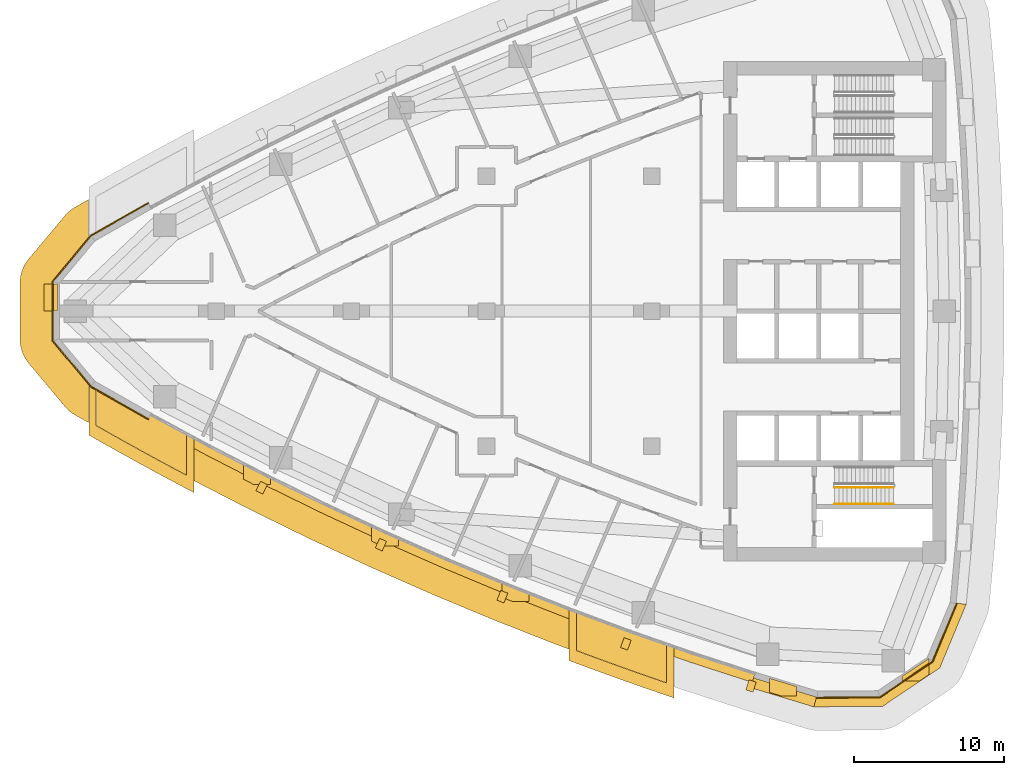
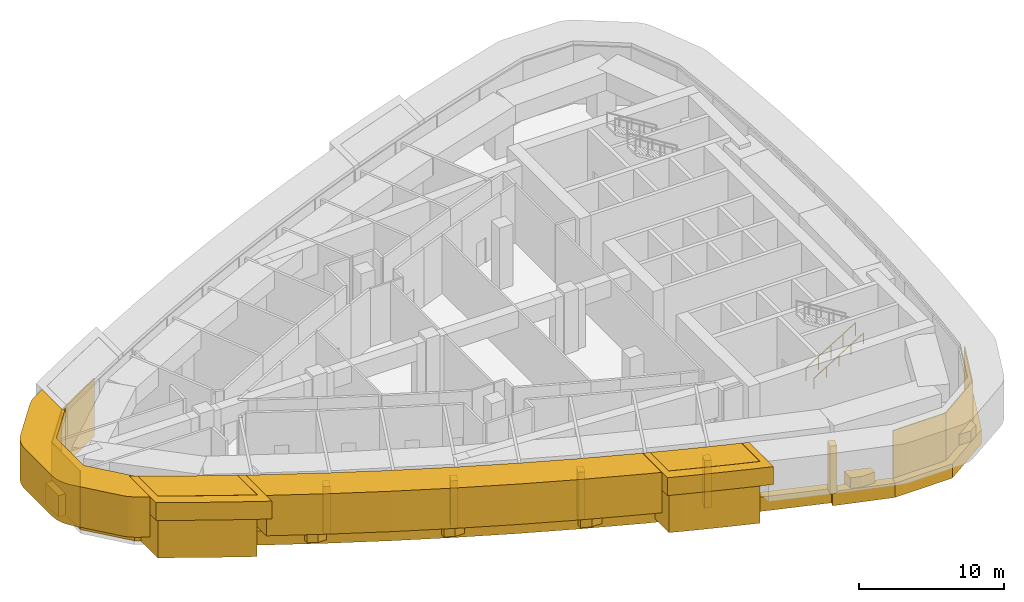
# One storey, part 15 of 18: 28 coverings, 2 railings.
"""IFC4 building model written with IfcOpenShell, lengths in metres."""

from ifc_helpers import new_model, si_unit, direction, frame, frame_2d, origin, origin_2d, place, context, subcontext, project, spatial, polyline, rectangle, circle, outline, extrude, material, layer, layer_set, type_object, element, save


model = new_model("IFC4")

# Units and contexts
model_context = context("Model", 3, precision=1e-05, world=origin(), true_north=direction((0.0, 1.0)))
body_context = subcontext(model_context, "Body", "Model", "MODEL_VIEW")
ifc_project = project(units=[si_unit("LENGTHUNIT", "METRE"), si_unit("AREAUNIT", "SQUARE_METRE"), si_unit("VOLUMEUNIT", "CUBIC_METRE"), si_unit("PLANEANGLEUNIT", "RADIAN"), si_unit("MASSUNIT", "GRAM", prefix="KILO")], contexts=[model_context])

# Site, building, storey
site_placement = place(None, origin())
site = spatial("IfcSite", under=ifc_project, at=site_placement, CompositionType="ELEMENT")
building_placement = place(site_placement, origin())
building = spatial("IfcBuilding", under=site, at=building_placement, Name="Ostrand Prow Hotel Tower", CompositionType="ELEMENT")
storey_placement = place(building_placement, frame((0.0, 0.0, 165.699951171875)))
storey = spatial("IfcBuildingStorey", under=building, at=storey_placement, Name="L41", CompositionType="ELEMENT", Elevation=165.699951171875)

# Coverings
ifc_material_1 = material(Name="Limestone cladding", Category="masonry")
ifc_layer_1 = layer(ifc_material_1, 2.0)
ifc_layer_set_1 = layer_set([ifc_layer_1], Name="Limestone cladding")
covering_type_1 = type_object("IfcCoveringType", Name="Belt lip limestone", PredefinedType="CLADDING", material=ifc_layer_set_1)
covering_1_placement = place(storey_placement, frame((0.0, 0.0, 1.800048828125)))
element("IfcCovering", 1, at=covering_1_placement, inside=storey, type_object=covering_type_1, Name="Belt L41 1", PredefinedType="CLADDING", context=body_context, shape_type="SweptSolid", body=[
    extrude(outline(polyline([(6.58837890625, -6.932861328125), (7.489990234375, -7.443603515625), (7.489990234375, -4.5712890625), (7.489990234375, -4.5703125), (7.490234375, -4.5693359375), (7.490478515625, -4.568359375), (7.49072265625, -4.5673828125), (7.4912109375, -4.56640625), (7.49169921875, -4.565673828125), (7.4921875, -4.56494140625), (7.492919921875, -4.564208984375), (7.493896484375, -4.5634765625), (7.49462890625, -4.56298828125), (7.495361328125, -4.5625), (7.496337890625, -4.56201171875), (7.497314453125, -4.561767578125), (7.498291015625, -4.561279296875), (7.499267578125, -4.561279296875), (7.500244140625, -4.561279296875), (7.501220703125, -4.561279296875), (7.502197265625, -4.5615234375), (7.503173828125, -4.561767578125), (7.504150390625, -4.562255859375), (7.5048828125, -4.5625), (7.80078125, -4.73388671875), (5.41064453125, -1.877685546875), (5.41064453125, 1.877685546875), (7.80078125, 4.73388671875), (7.5048828125, 4.5625), (7.504150390625, 4.562255859375), (7.503173828125, 4.561767578125), (7.502197265625, 4.5615234375), (7.501220703125, 4.561279296875), (7.500244140625, 4.561279296875), (7.499267578125, 4.561279296875), (7.498291015625, 4.561279296875), (7.497314453125, 4.561767578125), (7.496337890625, 4.56201171875), (7.495361328125, 4.5625), (7.49462890625, 4.56298828125), (7.493896484375, 4.5634765625), (7.492919921875, 4.564208984375), (7.4921875, 4.56494140625), (7.49169921875, 4.565673828125), (7.4912109375, 4.56640625), (7.49072265625, 4.5673828125), (7.490478515625, 4.568359375), (7.490234375, 4.5693359375), (7.489990234375, 4.5703125), (7.489990234375, 4.5712890625), (7.489990234375, 7.443603515625), (6.58837890625, 6.932861328125), (6.398681640625, 6.813720703125), (6.220458984375, 6.67822265625), (6.054931640625, 6.52734375), (5.903564453125, 6.3623046875), (3.493408203125, 3.482177734375), (3.343505859375, 3.28369140625), (3.214111328125, 3.0712890625), (3.106201171875, 2.84716796875), (3.021240234375, 2.61328125), (2.9599609375, 2.372314453125), (2.923095703125, 2.126220703125), (2.91064453125, 1.877685546875), (2.91064453125, -1.877685546875), (2.923095703125, -2.126220703125), (2.9599609375, -2.372314453125), (3.021240234375, -2.61328125), (3.106201171875, -2.84716796875), (3.214111328125, -3.0712890625), (3.343505859375, -3.28369140625), (3.493408203125, -3.482177734375), (5.903564453125, -6.3623046875), (6.054931640625, -6.52734375), (6.220458984375, -6.67822265625), (6.398681640625, -6.813720703125), (6.58837890625, -6.932861328125)])), origin(), (0.0, 0.0, 1.0), 3.39990234375),
])
covering_2_placement = place(storey_placement, frame((0.0, 0.0, 1.800048828125)))
element("IfcCovering", 2, at=covering_2_placement, inside=storey, type_object=covering_type_1, Name="Belt L41 2", PredefinedType="CLADDING", context=body_context, shape_type="SweptSolid", body=[
    extrude(outline(polyline([(38.589599609375, -22.196533203125), (39.489990234375, -22.530029296875), (39.489990234375, -19.8681640625), (39.489990234375, -19.8671875), (39.490234375, -19.8662109375), (39.490478515625, -19.865478515625), (39.49072265625, -19.864501953125), (39.49072265625, -19.864501953125), (39.457763671875, -19.85205078125), (35.376220703125, -18.24609375), (31.327392578125, -16.55859375), (27.3134765625, -14.7900390625), (23.335693359375, -12.941162109375), (19.396240234375, -11.0126953125), (15.49609375, -9.00537109375), (14.5087890625, -8.4716796875), (14.5087890625, -8.471923828125), (14.50927734375, -8.472900390625), (14.509521484375, -8.473876953125), (14.509765625, -8.474609375), (14.510009765625, -8.4755859375), (14.510009765625, -8.476806640625), (14.510009765625, -11.3095703125), (18.252197265625, -13.235595703125), (18.297119140625, -13.258056640625), (22.23681640625, -15.1865234375), (22.281982421875, -15.2080078125), (26.259521484375, -17.05712890625), (26.305419921875, -17.077880859375), (30.3193359375, -18.846435546875), (30.365478515625, -18.8662109375), (34.414306640625, -20.5537109375), (34.460693359375, -20.57275390625), (38.54248046875, -22.1787109375), (38.589599609375, -22.196533203125)])), origin(), (0.0, 0.0, 1.0), 3.39990234375),
])
covering_3_placement = place(storey_placement, origin())
element("IfcCovering", 3, at=covering_3_placement, inside=storey, type_object=covering_type_1, Name="Belt fin 1 L41", PredefinedType="CLADDING", context=body_context, shape_type="SweptSolid", body=[
    extrude(outline(polyline([(4.510498046875, 1.8046875), (4.510498046875, 0.004638671875), (5.41064453125, 0.004638671875), (5.41064453125, 1.8046875), (4.510498046875, 1.8046875)])), origin(), (0.0, 0.0, 1.0), 1.800048828125),
])
covering_4_placement = place(storey_placement, origin())
element("IfcCovering", 4, at=covering_4_placement, inside=storey, type_object=covering_type_1, Name="Belt fin 3 L41", PredefinedType="CLADDING", context=body_context, shape_type="SweptSolid", body=[
    extrude(outline(polyline([(17.7998046875, -11.203369140625), (18.48193359375, -11.55419921875), (19.599853515625, -11.55419921875), (19.599853515625, -11.1123046875), (19.396240234375, -11.0126953125), (17.7998046875, -10.191162109375), (17.7998046875, -11.203369140625)])), origin(), (0.0, 0.0, 1.0), 1.800048828125),
])
covering_5_placement = place(storey_placement, origin())
element("IfcCovering", 5, at=covering_5_placement, inside=storey, type_object=covering_type_1, Name="Belt fin 4 L41", PredefinedType="CLADDING", context=body_context, shape_type="SweptSolid", body=[
    extrude(outline(polyline([(26.950439453125, -15.613525390625), (27.029296875, -15.6484375), (28.123779296875, -15.6484375), (28.123779296875, -15.147216796875), (27.3134765625, -14.7900390625), (26.323974609375, -14.330078125), (26.323974609375, -15.322509765625), (26.93408203125, -15.606201171875), (26.950439453125, -15.613525390625)])), origin(), (0.0, 0.0, 1.0), 1.800048828125),
])
covering_6_placement = place(storey_placement, origin())
element("IfcCovering", 6, at=covering_6_placement, inside=storey, type_object=covering_type_1, Name="Belt fin 5 L41", PredefinedType="CLADDING", context=body_context, shape_type="SweptSolid", body=[
    extrude(outline(polyline([(35.04638671875, -19.083740234375), (35.750244140625, -19.360595703125), (36.82080078125, -19.360595703125), (36.82080078125, -18.814697265625), (35.376220703125, -18.24609375), (35.02099609375, -18.09814453125), (35.02099609375, -19.0732421875), (35.02978515625, -19.076904296875), (35.04638671875, -19.083740234375)])), origin(), (0.0, 0.0, 1.0), 1.800048828125),
])
covering_7_placement = place(storey_placement, origin())
element("IfcCovering", 7, at=covering_7_placement, inside=storey, type_object=covering_type_1, Name="Belt fin 7 L41", PredefinedType="CLADDING", context=body_context, shape_type="SweptSolid", body=[
    extrude(outline(polyline([(52.855224609375, -25.407958984375), (53.62158203125, -25.640380859375), (54.6552734375, -25.640380859375), (54.6552734375, -25.013427734375), (52.855224609375, -24.467529296875), (52.855224609375, -25.407958984375)])), origin(), (0.0, 0.0, 1.0), 1.800048828125),
])
covering_8_placement = place(storey_placement, origin())
element("IfcCovering", 8, at=covering_8_placement, inside=storey, type_object=covering_type_1, Name="Belt fin 8 L41", PredefinedType="CLADDING", context=body_context, shape_type="SweptSolid", body=[
    extrude(outline(polyline([(62.872314453125, -24.64453125), (63.497802734375, -24.223876953125), (63.497802734375, -23.07763671875), (63.46240234375, -23.16259765625), (61.69775390625, -24.350341796875), (61.69775390625, -24.64453125), (62.872314453125, -24.64453125)])), origin(), (0.0, 0.0, 1.0), 1.800048828125),
])
ifc_material_2 = material(Name="Bronze anodised aluminium cladding", Category="aluminium")
ifc_layer_2 = layer(ifc_material_2, 0.60009765625)
ifc_layer_set_2 = layer_set([ifc_layer_2], Name="Bronze anodised aluminium cladding")
covering_type_2 = type_object("IfcCoveringType", Name="Bronze spandrel band 1200x600", PredefinedType="CLADDING", material=ifc_layer_set_2)
covering_9_placement = place(storey_placement, frame((0.0, 0.0, -0.300048828125)))
element("IfcCovering", 9, at=covering_9_placement, inside=storey, type_object=covering_type_2, Name="Spandrel band S1", PredefinedType="CLADDING", context=body_context, shape_type="SweptSolid", body=[
    extrude(outline(polyline([(11.3466796875, -7.445068359375), (15.21630859375, -9.535888671875), (19.126953125, -11.548828125), (23.077392578125, -13.482666015625), (27.06591796875, -15.336669921875), (31.091064453125, -17.110107421875), (35.15087890625, -18.80224609375), (39.243896484375, -20.41259765625), (43.368408203125, -21.9404296875), (47.522705078125, -23.385009765625), (51.705322265625, -24.74560546875), (51.88525390625, -24.17333984375), (47.714111328125, -22.81640625), (43.571044921875, -21.375732421875), (39.457763671875, -19.85205078125), (35.376220703125, -18.24609375), (31.327392578125, -16.55859375), (27.3134765625, -14.7900390625), (23.335693359375, -12.941162109375), (19.396240234375, -11.0126953125), (15.49609375, -9.00537109375), (11.63720703125, -6.920166015625), (11.3466796875, -7.445068359375)])), origin(), (0.0, 0.0, 1.0), 1.2001953125),
])
covering_10_placement = place(storey_placement, frame((0.0, 0.0, -0.300048828125)))
element("IfcCovering", 10, at=covering_10_placement, inside=storey, type_object=covering_type_2, Name="Spandrel band back 1", PredefinedType="CLADDING", context=body_context, shape_type="SweptSolid", body=[
    extrude(outline(polyline([(51.594970703125, -25.0966796875), (55.811279296875, -26.375244140625), (56.001953125, -25.722412109375), (51.798828125, -24.447998046875), (51.594970703125, -25.0966796875)])), origin(), (0.0, 0.0, 1.0), 1.2001953125),
])
covering_11_placement = place(storey_placement, frame((0.0, 0.0, -0.300048828125)))
element("IfcCovering", 11, at=covering_11_placement, inside=storey, type_object=covering_type_2, Name="Spandrel band back 2", PredefinedType="CLADDING", context=body_context, shape_type="SweptSolid", body=[
    extrude(outline(polyline([(55.811279296875, -26.375244140625), (60.402099609375, -26.339111328125), (64.211181640625, -23.77587890625), (65.973388671875, -19.53662109375), (65.37646484375, -19.4755859375), (63.746826171875, -23.395751953125), (60.224853515625, -25.76611328125), (55.9794921875, -25.79931640625), (55.811279296875, -26.375244140625)])), origin(), (0.0, 0.0, 1.0), 1.2001953125),
])
ifc_material_3 = material(Name="Limestone cladding", Category="masonry")
ifc_layer_3 = layer(ifc_material_3, 5.0)
ifc_layer_set_3 = layer_set([ifc_layer_3], Name="Limestone cladding")
covering_type_3 = type_object("IfcCoveringType", Name="Portal jamb pilaster limestone", PredefinedType="CLADDING", material=ifc_layer_set_3)
covering_12_placement = place(storey_placement, origin())
element("IfcCovering", 12, at=covering_12_placement, inside=storey, type_object=covering_type_3, Name="Portal jamb SA L41", PredefinedType="CLADDING", context=body_context, shape_type="SweptSolid", body=[
    extrude(outline(polyline([(8.0, -4.861572265625), (8.0, -7.62939453125), (9.0, -8.1962890625), (10.0, -8.75634765625), (11.0, -9.3095703125), (12.0, -9.856201171875), (13.0, -10.39599609375), (14.0, -10.92919921875), (14.0, -8.208740234375), (13.0, -7.66796875), (12.0, -7.12060546875), (11.0, -6.566162109375), (10.0, -6.0048828125), (9.0, -5.436767578125), (8.0, -4.861572265625)])), origin(), (0.0, 0.0, 1.0), 5.199951171875),
])
covering_13_placement = place(storey_placement, origin())
element("IfcCovering", 13, at=covering_13_placement, inside=storey, type_object=covering_type_3, Name="Portal jamb SB L41", PredefinedType="CLADDING", context=body_context, shape_type="SweptSolid", body=[
    extrude(outline(polyline([(40.0, -20.058349609375), (40.0, -22.622802734375), (41.0, -22.994140625), (42.0, -23.360107421875), (43.0, -23.720458984375), (44.0, -24.075439453125), (45.0, -24.425048828125), (46.0, -24.769287109375), (46.0, -22.231689453125), (45.0, -21.883056640625), (44.0, -21.529296875), (43.0, -21.169921875), (42.0, -20.804931640625), (41.0, -20.434326171875), (40.0, -20.058349609375)])), origin(), (0.0, 0.0, 1.0), 5.199951171875),
])
ifc_material_4 = material(Name="Limestone cladding", Category="masonry")
ifc_layer_4 = layer(ifc_material_4, 4.0)
ifc_layer_set_4 = layer_set([ifc_layer_4], Name="Limestone cladding")
covering_type_4 = type_object("IfcCoveringType", Name="Portal lintel limestone", PredefinedType="CLADDING", material=ifc_layer_set_4)
covering_14_placement = place(storey_placement, frame((0.0, 0.0, 3.699951171875)))
element("IfcCovering", 14, at=covering_14_placement, inside=storey, type_object=covering_type_4, Name="Portal jamb cap SA L41", PredefinedType="CLADDING", context=body_context, shape_type="SweptSolid", body=[
    extrude(outline(polyline([(7.99169921875, -4.85595703125), (7.5, -4.5712890625), (7.5, -8.26513671875), (8.5, -8.832763671875), (9.5, -9.3935546875), (10.5, -9.947509765625), (11.5, -10.494873046875), (12.5, -11.035400390625), (13.5, -11.569580078125), (14.5, -12.096923828125), (14.5, -8.476806640625), (14.010009765625, -8.21337890625), (14.010009765625, -10.92919921875), (14.010009765625, -10.93017578125), (14.009765625, -10.93115234375), (14.009521484375, -10.931884765625), (14.00927734375, -10.93310546875), (14.0087890625, -10.933837890625), (14.00830078125, -10.934814453125), (14.0078125, -10.935546875), (14.007080078125, -10.936279296875), (14.00634765625, -10.93701171875), (14.005615234375, -10.9375), (14.004638671875, -10.93798828125), (14.00390625, -10.9384765625), (14.0029296875, -10.938720703125), (14.001953125, -10.93896484375), (14.0009765625, -10.939208984375), (14.0, -10.939208984375), (13.9990234375, -10.939208984375), (13.998046875, -10.93896484375), (13.9970703125, -10.938720703125), (13.99609375, -10.9384765625), (13.995361328125, -10.93798828125), (12.995361328125, -10.40478515625), (12.9951171875, -10.40478515625), (11.9951171875, -9.864990234375), (11.9951171875, -9.864990234375), (10.9951171875, -9.318359375), (10.9951171875, -9.318359375), (9.9951171875, -8.76513671875), (9.9951171875, -8.76513671875), (8.9951171875, -8.205078125), (8.9951171875, -8.205078125), (7.9951171875, -7.63818359375), (7.994384765625, -7.6376953125), (7.993408203125, -7.636962890625), (7.992919921875, -7.63623046875), (7.9921875, -7.635498046875), (7.99169921875, -7.634765625), (7.9912109375, -7.634033203125), (7.99072265625, -7.633056640625), (7.990478515625, -7.632080078125), (7.990234375, -7.63134765625), (7.989990234375, -7.63037109375), (7.989990234375, -7.62939453125), (7.989990234375, -4.861572265625), (7.989990234375, -4.860595703125), (7.990234375, -4.859619140625), (7.990478515625, -4.858642578125), (7.99072265625, -4.857666015625), (7.9912109375, -4.856689453125), (7.99169921875, -4.85595703125), (7.99169921875, -4.85595703125)])), origin(), (0.0, 0.0, 1.0), 1.5),
])
covering_15_placement = place(storey_placement, frame((0.0, 0.0, 3.699951171875)))
element("IfcCovering", 15, at=covering_15_placement, inside=storey, type_object=covering_type_4, Name="Portal jamb cap SB L41", PredefinedType="CLADDING", context=body_context, shape_type="SweptSolid", body=[
    extrude(outline(polyline([(39.990966796875, -20.05419921875), (39.5, -19.8681640625), (39.5, -23.289794921875), (40.5, -23.662353515625), (41.5, -24.029541015625), (42.5, -24.39111328125), (43.5, -24.747314453125), (44.5, -25.098388671875), (45.5, -25.44384765625), (46.5, -25.783935546875), (46.5, -22.40380859375), (46.010009765625, -22.234375), (46.010009765625, -24.769287109375), (46.010009765625, -24.7705078125), (46.009765625, -24.771240234375), (46.009521484375, -24.772216796875), (46.00927734375, -24.773193359375), (46.0087890625, -24.774169921875), (46.00830078125, -24.77490234375), (46.007568359375, -24.77587890625), (46.007080078125, -24.776611328125), (46.006103515625, -24.777099609375), (46.00537109375, -24.77783203125), (46.00439453125, -24.7783203125), (46.003662109375, -24.77880859375), (46.002685546875, -24.779052734375), (46.001708984375, -24.779296875), (46.000732421875, -24.779296875), (45.999755859375, -24.779296875), (45.998779296875, -24.779296875), (45.997802734375, -24.779052734375), (45.99658203125, -24.77880859375), (44.99658203125, -24.4345703125), (44.99658203125, -24.4345703125), (43.99658203125, -24.0849609375), (43.99658203125, -24.0849609375), (42.99658203125, -23.72998046875), (42.99658203125, -23.72998046875), (41.99658203125, -23.369384765625), (41.99658203125, -23.369384765625), (40.99658203125, -23.003662109375), (40.99658203125, -23.003662109375), (39.99658203125, -22.632080078125), (39.99560546875, -22.6318359375), (39.99462890625, -22.63134765625), (39.993896484375, -22.630615234375), (39.9931640625, -22.630126953125), (39.992431640625, -22.62939453125), (39.99169921875, -22.62841796875), (39.9912109375, -22.627685546875), (39.99072265625, -22.626708984375), (39.990478515625, -22.625732421875), (39.990234375, -22.624755859375), (39.989990234375, -22.623779296875), (39.989990234375, -22.622802734375), (39.989990234375, -20.058349609375), (39.989990234375, -20.057373046875), (39.990234375, -20.056396484375), (39.990478515625, -20.055419921875), (39.99072265625, -20.0546875), (39.990966796875, -20.05419921875)])), origin(), (0.0, 0.0, 1.0), 1.5),
])
ifc_material_5 = material(Name="Limestone cladding", Category="masonry")
ifc_layer_5 = layer(ifc_material_5, 0.5)
ifc_layer_set_5 = layer_set([ifc_layer_5], Name="Limestone cladding")
covering_type_5 = type_object("IfcCoveringType", Name="Precast stone fin 500x600", PredefinedType="CLADDING", material=ifc_layer_set_5)
for number, where, z_axis, x_axis, name in (
    (16, (19.171875, -11.45947265625, 0.900146484375), (0.0, 0.0, 1.0), (-0.448608411822, -0.893728422309, 0.0), "Stone fin S 3"),
    (17, (27.107177734375, -15.24560546875, 0.900146484375), (0.0, 0.0, 1.0), (-0.412278168788, -0.911058017659, 0.0), "Stone fin S 5"),
    (18, (35.188232421875, -18.709716796875, 0.900146484375), (0.0, 0.0, 1.0), (-0.375356894071, -0.926880360173, 0.0), "Stone fin S 7"),
):
    element("IfcCovering", number, at=place(storey_placement, frame(where, z_axis=z_axis, x_axis=x_axis)), inside=storey, type_object=covering_type_5, Name=name, PredefinedType="CLADDING", context=body_context, shape_type="SweptSolid", body=[
        extrude(rectangle(XDim=0.699951171875, YDim=0.5, at=frame_2d((0.35009765625, 0.0))), origin(), (0.0, 0.0, 1.0), 4.0),
    ])
covering_16_placement = place(storey_placement, frame((43.402099609375, -21.84619140625, 0.900146484375), z_axis=(0.0, 0.0, 1.0), x_axis=(-0.337904356877, -0.941180453263, 0.0)))
element("IfcCovering", 19, at=covering_16_placement, inside=storey, type_object=covering_type_5, Name="Stone fin S 9", PredefinedType="CLADDING", context=body_context, shape_type="SweptSolid", body=[
    extrude(rectangle(XDim=0.7001953125, YDim=0.5, at=frame_2d((0.35009765625, 0.0))), origin(), (0.0, 0.0, 1.0), 4.0),
])
covering_17_placement = place(storey_placement, frame((51.7353515625, -24.650390625, 0.900146484375), z_axis=(0.0, 0.0, 1.0), x_axis=(-0.299962638808, -0.953950950164, 0.0)))
element("IfcCovering", 20, at=covering_17_placement, inside=storey, type_object=covering_type_5, Name="Stone fin S 11", PredefinedType="CLADDING", context=body_context, shape_type="SweptSolid", body=[
    extrude(rectangle(XDim=0.699951171875, YDim=0.5, at=frame_2d((0.35009765625, 0.0))), origin(), (0.0, 0.0, 1.0), 4.0),
])

# Railings
ifc_material_6 = material(Name="Painted steel", Category="steel")
railing_type_1 = type_object("IfcRailingType", Name="Stair guard 1100", PredefinedType="GUARDRAIL", material=ifc_material_6)
railing_1_placement = place(storey_placement, frame((57.199951171875, -11.75, 0.17333984375)))
element("IfcRailing", 21, at=railing_1_placement, inside=storey, type_object=railing_type_1, Name="L41 ST2C stair guard 1", PredefinedType="GUARDRAIL", context=body_context, shape_type="SweptSolid", body=[
    extrude(circle(Radius=0.02392578125, at=origin_2d()), frame((0.0, 0.0, 1.076171875), z_axis=(0.850266275192, 0.0, 0.526352791643), x_axis=(0.0, 1.0, 0.0)), (0.0, 0.0, 1.0), 4.610595703125),
    extrude(circle(Radius=0.02099609375, at=origin_2d()), origin(), (0.0, 0.0, 1.0), 1.052001953125),
    extrude(circle(Radius=0.02099609375, at=origin_2d()), frame((0.97998046875, 0.0, 0.606689453125)), (0.0, 0.0, 1.0), 1.052001953125),
    extrude(circle(Radius=0.02099609375, at=origin_2d()), frame((1.9599609375, 0.0, 1.21337890625)), (0.0, 0.0, 1.0), 1.052001953125),
    extrude(circle(Radius=0.02099609375, at=origin_2d()), frame((2.940185546875, 0.0, 1.820068359375)), (0.0, 0.0, 1.0), 1.052001953125),
    extrude(circle(Radius=0.02099609375, at=origin_2d()), frame((3.920166015625, 0.0, 2.4267578125)), (0.0, 0.0, 1.0), 1.052001953125),
])
ifc_material_7 = material(Name="Stainless steel", Category="steel")
railing_type_2 = type_object("IfcRailingType", Name="Stair handrail 900", PredefinedType="HANDRAIL", material=ifc_material_7)
railing_2_placement = place(storey_placement, frame((57.199951171875, -12.85009765625, 0.17333984375)))
element("IfcRailing", 22, at=railing_2_placement, inside=storey, type_object=railing_type_2, Name="L41 ST2C stair handrail 1", PredefinedType="HANDRAIL", context=body_context, shape_type="SweptSolid", body=[
    extrude(circle(Radius=0.02392578125, at=origin_2d()), frame((0.0, 0.0, 0.8759765625), z_axis=(0.850266275192, 0.0, 0.526352791643), x_axis=(0.0, 1.0, 0.0)), (0.0, 0.0, 1.0), 4.610595703125),
    extrude(circle(Radius=0.02099609375, at=origin_2d()), origin(), (0.0, 0.0, 1.0), 0.851806640625),
    extrude(circle(Radius=0.02099609375, at=origin_2d()), frame((0.97998046875, 0.0, 0.606689453125)), (0.0, 0.0, 1.0), 0.851806640625),
    extrude(circle(Radius=0.02099609375, at=origin_2d()), frame((1.9599609375, 0.0, 1.21337890625)), (0.0, 0.0, 1.0), 0.851806640625),
    extrude(circle(Radius=0.02099609375, at=origin_2d()), frame((2.940185546875, 0.0, 1.820068359375)), (0.0, 0.0, 1.0), 0.851806640625),
    extrude(circle(Radius=0.02099609375, at=origin_2d()), frame((3.920166015625, 0.0, 2.4267578125)), (0.0, 0.0, 1.0), 0.851806640625),
])

# Coverings
ifc_material_8 = material(Name="Limestone cladding", Category="masonry")
ifc_layer_6 = layer(ifc_material_8, 0.080078125)
ifc_layer_set_6 = layer_set([ifc_layer_6], Name="Limestone cladding")
covering_type_6 = type_object("IfcCoveringType", Name="Warm limestone cladding 80 mm", PredefinedType="CLADDING", material=ifc_layer_set_6)
covering_18_placement = place(storey_placement, frame((11.478515625, 7.206787109375, 0.0), z_axis=(0.0, 0.0, 1.0), x_axis=(-0.870049996082, -0.492963491871, 0.0)))
element("IfcCovering", 23, at=covering_18_placement, inside=storey, type_object=covering_type_6, Name="Limestone cladding prow 1", PredefinedType="CLADDING", context=body_context, shape_type="SweptSolid", body=[
    extrude(outline(polyline([(0.0, -0.0400390625), (4.39990234375, -0.0400390625), (4.3857421875, 0.0400390625), (0.0, 0.0400390625), (0.0, -0.0400390625)])), origin(), (0.0, 0.0, 1.0), 4.900146484375),
])
covering_19_placement = place(storey_placement, frame((7.656494140625, 5.041259765625, 0.0), z_axis=(0.0, 0.0, 1.0), x_axis=(-0.641818370308, -0.766856687743, 0.0)))
element("IfcCovering", 24, at=covering_19_placement, inside=storey, type_object=covering_type_6, Name="Limestone cladding prow 2", PredefinedType="CLADDING", context=body_context, shape_type="SweptSolid", body=[
    extrude(outline(polyline([(-0.007080078125, -0.0400390625), (3.99365234375, -0.0400390625), (3.96484375, 0.0400390625), (0.007080078125, 0.0400390625), (-0.007080078125, -0.0400390625)])), origin(), (0.0, 0.0, 1.0), 4.900146484375),
])
covering_20_placement = place(storey_placement, frame((5.1025390625, 1.98974609375, 0.0), z_axis=(0.0, 0.0, 1.0), x_axis=(0.0, -1.0, 0.0)))
element("IfcCovering", 25, at=covering_20_placement, inside=storey, type_object=covering_type_6, Name="Limestone cladding prow 3", PredefinedType="CLADDING", context=body_context, shape_type="SweptSolid", body=[
    extrude(outline(polyline([(-0.014404296875, -0.0400390625), (3.993896484375, -0.0400390625), (3.965087890625, 0.0400390625), (0.014404296875, 0.0400390625), (-0.014404296875, -0.0400390625)])), origin(), (0.0, 0.0, 1.0), 4.900146484375),
])
covering_21_placement = place(storey_placement, frame((5.1025390625, -1.98974609375, 0.0), z_axis=(0.0, 0.0, 1.0), x_axis=(0.641818370308, -0.766856687743, 0.0)))
element("IfcCovering", 26, at=covering_21_placement, inside=storey, type_object=covering_type_6, Name="Limestone cladding prow 4", PredefinedType="CLADDING", context=body_context, shape_type="SweptSolid", body=[
    extrude(outline(polyline([(-0.014404296875, -0.0400390625), (3.986328125, -0.0400390625), (3.97216796875, 0.0400390625), (0.014404296875, 0.0400390625), (-0.014404296875, -0.0400390625)])), origin(), (0.0, 0.0, 1.0), 4.900146484375),
])
covering_22_placement = place(storey_placement, frame((7.656494140625, -5.041259765625, 0.0), z_axis=(0.0, 0.0, 1.0), x_axis=(0.870049996082, -0.492963491871, 0.0)))
element("IfcCovering", 27, at=covering_22_placement, inside=storey, type_object=covering_type_6, Name="Limestone cladding prow 5", PredefinedType="CLADDING", context=body_context, shape_type="SweptSolid", body=[
    extrude(outline(polyline([(-0.007080078125, -0.0400390625), (4.392822265625, -0.0400390625), (4.392822265625, 0.0400390625), (0.007080078125, 0.0400390625), (-0.007080078125, -0.0400390625)])), origin(), (0.0, 0.0, 1.0), 4.900146484375),
])
covering_23_placement = place(storey_placement, frame((55.99072265625, -25.760986328125, 0.0), z_axis=(0.0, 0.0, 1.0), x_axis=(0.999969080193, 0.007863755921, 0.0)))
element("IfcCovering", 28, at=covering_23_placement, inside=storey, type_object=covering_type_6, Name="Limestone cladding back 2", PredefinedType="CLADDING", context=body_context, shape_type="SweptSolid", body=[
    extrude(outline(polyline([(-0.006103515625, -0.0400390625), (4.234375, -0.0400390625), (4.21044921875, 0.0400390625), (0.006103515625, 0.0400390625), (-0.006103515625, -0.0400390625)])), origin(), (0.0, 0.0, 1.0), 4.900146484375),
])
covering_24_placement = place(storey_placement, frame((60.212890625, -25.727783203125, 0.0), z_axis=(0.0, 0.0, 1.0), x_axis=(0.829640794647, 0.558297547781, 0.0)))
element("IfcCovering", 29, at=covering_24_placement, inside=storey, type_object=covering_type_6, Name="Limestone cladding back 3", PredefinedType="CLADDING", context=body_context, shape_type="SweptSolid", body=[
    extrude(outline(polyline([(-0.011962890625, -0.0400390625), (4.234375, -0.0400390625), (4.21044921875, 0.0400390625), (0.011962890625, 0.0400390625), (-0.011962890625, -0.0400390625)])), origin(), (0.0, 0.0, 1.0), 4.900146484375),
])
covering_25_placement = place(storey_placement, frame((63.716064453125, -23.370361328125, 0.0), z_axis=(0.0, 0.0, 1.0), x_axis=(0.383818742494, 0.923408453996, 0.0)))
element("IfcCovering", 30, at=covering_25_placement, inside=storey, type_object=covering_type_6, Name="Limestone cladding back 4", PredefinedType="CLADDING", context=body_context, shape_type="SweptSolid", body=[
    extrude(outline(polyline([(-0.011962890625, -0.0400390625), (4.228515625, -0.0400390625), (4.21630859375, 0.0400390625), (0.011962890625, 0.0400390625), (-0.011962890625, -0.0400390625)])), origin(), (0.0, 0.0, 1.0), 4.900146484375),
])

save(model, "model.ifc")
